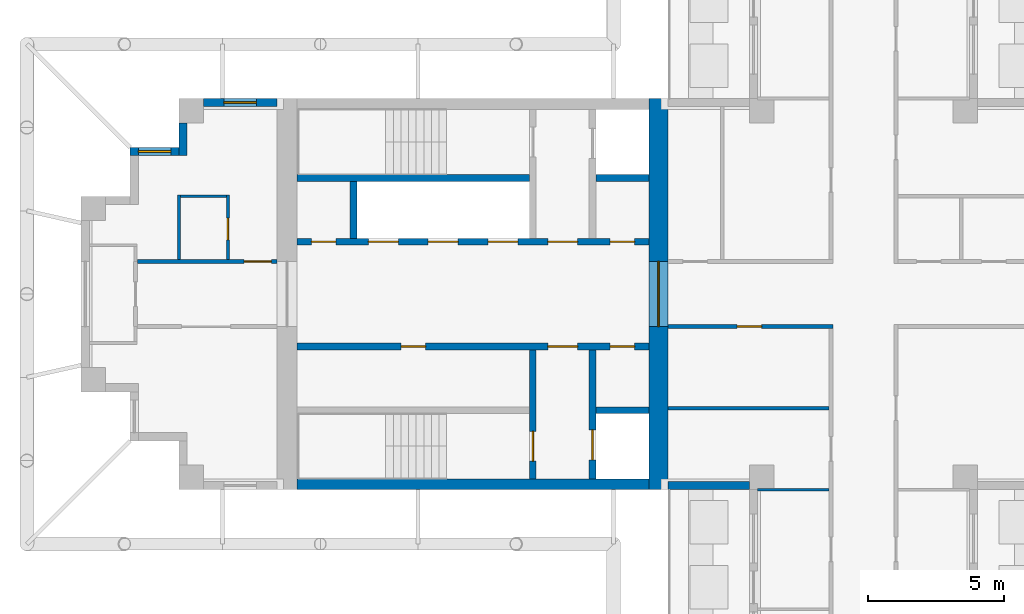
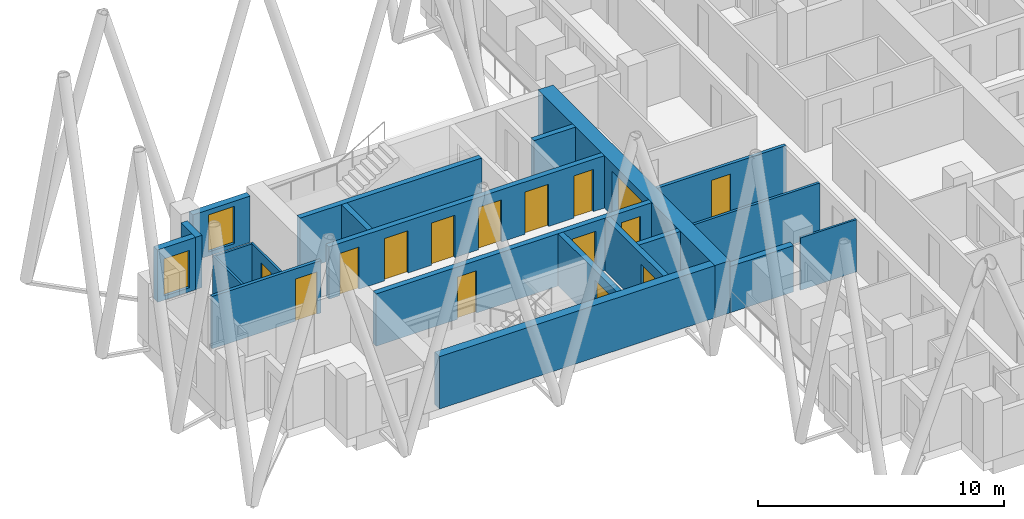
# One storey, part 4 of 11: 21 walls, 15 doors, 2 windows, 17 openings.
"""IFC4 building model written with IfcOpenShell, lengths in metres."""

from ifc_helpers import new_model, si_unit, direction, frame, frame_2d, origin, place, context, subcontext, project, spatial, rectangle, extrude, material, layer, layer_set, type_object, element, fill, save


model = new_model("IFC4")

# Units and contexts
model_context = context("Model", 3, precision=1e-05, world=origin(), true_north=direction((0.0, 1.0)))
body_context = subcontext(model_context, "Body", "Model", "MODEL_VIEW")
ifc_project = project(units=[si_unit("LENGTHUNIT", "METRE"), si_unit("AREAUNIT", "SQUARE_METRE"), si_unit("VOLUMEUNIT", "CUBIC_METRE"), si_unit("PLANEANGLEUNIT", "RADIAN"), si_unit("MASSUNIT", "GRAM", prefix="KILO")], contexts=[model_context])

# Site, building, storey
site_placement = place(None, origin())
site = spatial("IfcSite", under=ifc_project, at=site_placement, CompositionType="ELEMENT")
building_placement = place(site_placement, origin())
building = spatial("IfcBuilding", under=site, at=building_placement, Name="Fustian Cross Tower", CompositionType="ELEMENT")
storey_placement = place(building_placement, frame((0.0, 0.0, 222.89990234375)))
storey = spatial("IfcBuildingStorey", under=building, at=storey_placement, Name="L70", CompositionType="ELEMENT", Elevation=222.89990234375)

# Wall, opening, door
ifc_material_1 = material(Name="Plasterboard on steel stud", Category="steel")
ifc_layer_1 = layer(ifc_material_1, 0.14990234375)
ifc_layer_set_1 = layer_set([ifc_layer_1], Name="Plasterboard on steel stud")
wall_type_1 = type_object("IfcWallType", Name="COMPARTMENT WALL 150 EI 60", PredefinedType="PARTITIONING", material=ifc_layer_set_1)
wall_1_placement = place(storey_placement, frame((-26.72509765625, 1.199951171875, 0.0), z_axis=(0.0, 0.0, 1.0), x_axis=(1.0, 0.0, 0.0)))
wall_1 = element("IfcWall", 1, at=wall_1_placement, inside=storey, type_object=wall_type_1, Name="Partition 7", PredefinedType="PARTITIONING", context=body_context, shape_type="SweptSolid", body=[
    extrude(rectangle(XDim=5.125, YDim=0.14990234375, at=frame_2d((2.5625, 0.0))), origin(), (0.0, 0.0, 1.0), 2.60009765625),
])
opening_1_placement = place(wall_1_placement, frame((3.925048828125, 0.0, 0.0)))
opening_1 = element("IfcOpeningElement", 2, at=opening_1_placement, cuts=wall_1, Name="Opening D31025", PredefinedType="OPENING", context=body_context, shape_type="SweptSolid", body=[
    extrude(rectangle(XDim=1.0, YDim=2.10009765625, at=frame_2d((0.5, 1.050048828125))), frame((0.0, 0.0849609375, 0.0), z_axis=(0.0, -1.0, 0.0), x_axis=(1.0, 0.0, 0.0)), (0.0, 0.0, 1.0), 0.169921875),
])
ifc_material_2 = material(Name="Timber fire door set", Category="wood")
door_type_1 = type_object("IfcDoorType", Name="FIRE SWING DOOR 1000 FD30S", OperationType="SINGLE_SWING_LEFT", PredefinedType="DOOR", material=ifc_material_2)
door_1_placement = place(opening_1_placement, origin())
door_1 = element("IfcDoor", 3, at=door_1_placement, inside=storey, type_object=door_type_1, Name="Door D31025", OperationType="SINGLE_SWING_RIGHT", OverallHeight=2.10009765625, OverallWidth=1.0, PredefinedType="DOOR", context=body_context, shape_type="SweptSolid", body=[
    extrude(rectangle(XDim=1.0, YDim=2.10009765625, at=frame_2d((0.5, 1.050048828125))), frame((0.0, 0.02490234375, 0.0), z_axis=(0.0, -1.0, 0.0), x_axis=(1.0, 0.0, 0.0)), (0.0, 0.0, 1.0), 0.050048828125),
])
fill(opening_1, door_1)

wall_2_placement = place(storey_placement, frame((-7.199951171875, -1.199951171875, 0.0), z_axis=(0.0, 0.0, 1.0), x_axis=(1.0, 0.0, 0.0)))
wall_2 = element("IfcWall", 4, at=wall_2_placement, inside=storey, type_object=wall_type_1, Name="Partition 12", PredefinedType="PARTITIONING", context=body_context, shape_type="SweptSolid", body=[
    extrude(rectangle(XDim=6.074951171875, YDim=0.14990234375, at=frame_2d((3.03759765625, 0.0))), origin(), (0.0, 0.0, 1.0), 2.60009765625),
])
opening_2_placement = place(wall_2_placement, frame((2.550048828125, 0.0, 0.0)))
opening_2 = element("IfcOpeningElement", 5, at=opening_2_placement, cuts=wall_2, Name="Opening D31007", PredefinedType="OPENING", context=body_context, shape_type="SweptSolid", body=[
    extrude(rectangle(XDim=0.89990234375, YDim=2.10009765625, at=frame_2d((0.449951171875, 1.050048828125))), frame((0.0, 0.0849609375, 0.0), z_axis=(0.0, -1.0, 0.0), x_axis=(1.0, 0.0, 0.0)), (0.0, 0.0, 1.0), 0.169921875),
])
ifc_material_3 = material(Name="Timber fire door set", Category="wood")
door_type_2 = type_object("IfcDoorType", Name="FIRE SWING DOOR 900 FD30S", OperationType="SINGLE_SWING_LEFT", PredefinedType="DOOR", material=ifc_material_3)
door_2_placement = place(opening_2_placement, frame((0.89990234375, 0.0, 0.0), z_axis=(0.0, 0.0, 1.0), x_axis=(-1.0, 0.0, 0.0)))
door_2 = element("IfcDoor", 6, at=door_2_placement, inside=storey, type_object=door_type_2, Name="Door D31007", OperationType="SINGLE_SWING_RIGHT", OverallHeight=2.10009765625, OverallWidth=0.89990234375, PredefinedType="DOOR", context=body_context, shape_type="SweptSolid", body=[
    extrude(rectangle(XDim=0.89990234375, YDim=2.10009765625, at=frame_2d((0.449951171875, 1.050048828125))), frame((0.0, 0.02490234375, 0.0), z_axis=(0.0, -1.0, 0.0), x_axis=(1.0, 0.0, 0.0)), (0.0, 0.0, 1.0), 0.050048828125),
])
fill(opening_2, door_2)

ifc_material_4 = material(Name="Concrete C50/60", Category="concrete")
ifc_layer_2 = layer(ifc_material_4, 0.699951171875)
ifc_layer_set_2 = layer_set([ifc_layer_2], Name="Concrete C50/60")
wall_type_2 = type_object("IfcWallType", Name="CORE END WALL 700 C50/60", PredefinedType="SHEAR", material=ifc_layer_set_2)
wall_3_placement = place(storey_placement, frame((-7.550048828125, -7.199951171875, 0.0), z_axis=(0.0, 0.0, 1.0), x_axis=(0.0, 1.0, 0.0)))
wall_3 = element("IfcWall", 7, at=wall_3_placement, inside=storey, type_object=wall_type_2, Name="Core end wall", PredefinedType="SHEAR", context=body_context, shape_type="SweptSolid", body=[
    extrude(rectangle(XDim=14.39990234375, YDim=0.699951171875, at=frame_2d((7.199951171875, 0.0))), origin(), (0.0, 0.0, 1.0), 2.60009765625),
])
opening_3_placement = place(wall_3_placement, frame((6.0, 0.0, 0.0)))
opening_3 = element("IfcOpeningElement", 8, at=opening_3_placement, cuts=wall_3, Name="Opening CD-29-27", PredefinedType="OPENING", context=body_context, shape_type="SweptSolid", body=[
    extrude(rectangle(XDim=2.39990234375, YDim=2.199951171875, at=frame_2d((1.199951171875, 1.10009765625))), frame((0.0, 0.35986328125, 0.0), z_axis=(0.0, -1.0, 0.0), x_axis=(1.0, 0.0, 0.0)), (0.0, 0.0, 1.0), 0.719970703125),
])
ifc_material_5 = material(Name="Steel", Category="steel")
door_type_3 = type_object("IfcDoorType", Name="FIRE DOOR FD30S DOUBLE 2400X2200", OperationType="DOUBLE_DOOR_DOUBLE_SWING", PredefinedType="DOOR", material=ifc_material_5)
door_3_placement = place(opening_3_placement, origin())
door_3 = element("IfcDoor", 9, at=door_3_placement, inside=storey, type_object=door_type_3, Name="Core door CD-29-27", OperationType="DOUBLE_DOOR_DOUBLE_SWING", OverallHeight=2.199951171875, OverallWidth=2.39990234375, PredefinedType="DOOR", context=body_context, shape_type="SweptSolid", body=[
    extrude(rectangle(XDim=2.39990234375, YDim=2.199951171875, at=frame_2d((1.199951171875, 1.10009765625))), frame((0.0, 0.02490234375, 0.0), z_axis=(0.0, -1.0, 0.0), x_axis=(1.0, 0.0, 0.0)), (0.0, 0.0, 1.0), 0.050048828125),
])
fill(opening_3, door_3)

# Wall
ifc_material_6 = material(Name="Concrete C50/60", Category="concrete")
ifc_layer_3 = layer(ifc_material_6, 0.39990234375)
ifc_layer_set_3 = layer_set([ifc_layer_3], Name="Concrete C50/60")
wall_type_3 = type_object("IfcWallType", Name="CORE FACADE WALL 400 C50/60", PredefinedType="SHEAR", material=ifc_layer_set_3)
wall_4_placement = place(storey_placement, frame((-7.89990234375, -7.0, 0.0), z_axis=(0.0, 0.0, 1.0), x_axis=(-1.0, 0.0, 0.0)))
element("IfcWall", 10, at=wall_4_placement, inside=storey, type_object=wall_type_3, Name="Core facade wall", PredefinedType="SHEAR", context=body_context, shape_type="SweptSolid", body=[
    extrude(rectangle(XDim=12.9501953125, YDim=0.39990234375, at=frame_2d((6.47509765625, 0.0))), origin(), (0.0, 0.0, 1.0), 2.60009765625),
])

# Wall, openings, doors
ifc_material_7 = material(Name="Concrete C50/60", Category="concrete")
ifc_layer_4 = layer(ifc_material_7, 0.25)
ifc_layer_set_4 = layer_set([ifc_layer_4], Name="Concrete C50/60")
wall_type_4 = type_object("IfcWallType", Name="CORE LOBBY WALL 250 C50/60", PredefinedType="SHEAR", material=ifc_layer_set_4)
wall_5_placement = place(storey_placement, frame((-7.89990234375, 1.925048828125, 0.0), z_axis=(0.0, 0.0, 1.0), x_axis=(-1.0, 0.0, 0.0)))
wall_5 = element("IfcWall", 11, at=wall_5_placement, inside=storey, type_object=wall_type_4, Name="Core lobby wall", PredefinedType="SHEAR", context=body_context, shape_type="SweptSolid", body=[
    extrude(rectangle(XDim=12.9501953125, YDim=0.25, at=frame_2d((6.47509765625, 0.0))), origin(), (0.0, 0.0, 1.0), 2.60009765625),
])
opening_4_placement = place(wall_5_placement, frame((4.824951171875, 0.0, 0.0)))
opening_4 = element("IfcOpeningElement", 12, at=opening_4_placement, cuts=wall_5, Name="Opening LD", PredefinedType="OPENING", context=body_context, shape_type="SweptSolid", body=[
    extrude(rectangle(XDim=1.10009765625, YDim=2.10009765625, at=frame_2d((0.550048828125, 1.050048828125))), frame((0.0, 0.135009765625, 0.0), z_axis=(0.0, -1.0, 0.0), x_axis=(1.0, 0.0, 0.0)), (0.0, 0.0, 1.0), 0.27001953125),
])
opening_5_placement = place(wall_5_placement, frame((7.02490234375, 0.0, 0.0)))
opening_5 = element("IfcOpeningElement", 13, at=opening_5_placement, cuts=wall_5, Name="Opening LD", PredefinedType="OPENING", context=body_context, shape_type="SweptSolid", body=[
    extrude(rectangle(XDim=1.10009765625, YDim=2.10009765625, at=frame_2d((0.550048828125, 1.050048828125))), frame((0.0, 0.135009765625, 0.0), z_axis=(0.0, -1.0, 0.0), x_axis=(1.0, 0.0, 0.0)), (0.0, 0.0, 1.0), 0.27001953125),
])
opening_6_placement = place(wall_5_placement, frame((9.22509765625, 0.0, 0.0)))
opening_6 = element("IfcOpeningElement", 14, at=opening_6_placement, cuts=wall_5, Name="Opening LD", PredefinedType="OPENING", context=body_context, shape_type="SweptSolid", body=[
    extrude(rectangle(XDim=1.10009765625, YDim=2.10009765625, at=frame_2d((0.550048828125, 1.050048828125))), frame((0.0, 0.135009765625, 0.0), z_axis=(0.0, -1.0, 0.0), x_axis=(1.0, 0.0, 0.0)), (0.0, 0.0, 1.0), 0.27001953125),
])
opening_7_placement = place(wall_5_placement, frame((0.52490234375, 0.0, 0.0)))
opening_7 = element("IfcOpeningElement", 15, at=opening_7_placement, cuts=wall_5, Name="Opening CD-29-23", PredefinedType="OPENING", context=body_context, shape_type="SweptSolid", body=[
    extrude(rectangle(XDim=0.89990234375, YDim=2.10009765625, at=frame_2d((0.449951171875, 1.050048828125))), frame((0.0, 0.135009765625, 0.0), z_axis=(0.0, -1.0, 0.0), x_axis=(1.0, 0.0, 0.0)), (0.0, 0.0, 1.0), 0.27001953125),
])
opening_8_placement = place(wall_5_placement, frame((2.625, 0.0, 0.0)))
opening_8 = element("IfcOpeningElement", 16, at=opening_8_placement, cuts=wall_5, Name="Opening CD-29-25", PredefinedType="OPENING", context=body_context, shape_type="SweptSolid", body=[
    extrude(rectangle(XDim=1.10009765625, YDim=2.10009765625, at=frame_2d((0.550048828125, 1.050048828125))), frame((0.0, 0.135009765625, 0.0), z_axis=(0.0, -1.0, 0.0), x_axis=(1.0, 0.0, 0.0)), (0.0, 0.0, 1.0), 0.27001953125),
])
opening_9_placement = place(wall_5_placement, frame((11.52490234375, 0.0, 0.0)))
opening_9 = element("IfcOpeningElement", 17, at=opening_9_placement, cuts=wall_5, Name="Opening CD-29-29", PredefinedType="OPENING", context=body_context, shape_type="SweptSolid", body=[
    extrude(rectangle(XDim=0.89990234375, YDim=2.10009765625, at=frame_2d((0.449951171875, 1.050048828125))), frame((0.0, 0.135009765625, 0.0), z_axis=(0.0, -1.0, 0.0), x_axis=(1.0, 0.0, 0.0)), (0.0, 0.0, 1.0), 0.27001953125),
])
ifc_material_8 = material(Name="Steel", Category="steel")
door_type_4 = type_object("IfcDoorType", Name="FIRE DOOR FD30S 900X2100", OperationType="SINGLE_SWING_LEFT", PredefinedType="DOOR", material=ifc_material_8)
door_4_placement = place(opening_9_placement, frame((0.89990234375, 0.0, 0.0), z_axis=(0.0, 0.0, 1.0), x_axis=(-1.0, 0.0, 0.0)))
door_4 = element("IfcDoor", 18, at=door_4_placement, inside=storey, type_object=door_type_4, Name="Core door CD-29-29", OperationType="SINGLE_SWING_RIGHT", OverallHeight=2.10009765625, OverallWidth=0.89990234375, PredefinedType="DOOR", context=body_context, shape_type="SweptSolid", body=[
    extrude(rectangle(XDim=0.89990234375, YDim=2.10009765625, at=frame_2d((0.449951171875, 1.050048828125))), frame((0.0, 0.02490234375, 0.0), z_axis=(0.0, -1.0, 0.0), x_axis=(1.0, 0.0, 0.0)), (0.0, 0.0, 1.0), 0.050048828125),
])
fill(opening_9, door_4)
ifc_material_9 = material(Name="Steel", Category="steel")
door_type_5 = type_object("IfcDoorType", Name="FIRE DOOR FD60S 1100X2100", OperationType="SINGLE_SWING_LEFT", PredefinedType="DOOR", material=ifc_material_9)
door_5_placement = place(opening_8_placement, frame((1.10009765625, 0.0, 0.0), z_axis=(0.0, 0.0, 1.0), x_axis=(-1.0, 0.0, 0.0)))
door_5 = element("IfcDoor", 19, at=door_5_placement, inside=storey, type_object=door_type_5, Name="Core door CD-29-25", OperationType="SINGLE_SWING_RIGHT", OverallHeight=2.10009765625, OverallWidth=1.10009765625, PredefinedType="DOOR", context=body_context, shape_type="SweptSolid", body=[
    extrude(rectangle(XDim=1.10009765625, YDim=2.10009765625, at=frame_2d((0.550048828125, 1.050048828125))), frame((0.0, 0.02490234375, 0.0), z_axis=(0.0, -1.0, 0.0), x_axis=(1.0, 0.0, 0.0)), (0.0, 0.0, 1.0), 0.050048828125),
])
fill(opening_8, door_5)
ifc_material_10 = material(Name="Steel", Category="steel")
door_type_6 = type_object("IfcDoorType", Name="FIRE DOOR FD60S 900X2100", OperationType="SINGLE_SWING_LEFT", PredefinedType="DOOR", material=ifc_material_10)
door_6_placement = place(opening_7_placement, frame((0.89990234375, 0.0, 0.0), z_axis=(0.0, 0.0, 1.0), x_axis=(-1.0, 0.0, 0.0)))
door_6 = element("IfcDoor", 20, at=door_6_placement, inside=storey, type_object=door_type_6, Name="Core door CD-29-23", OperationType="SINGLE_SWING_RIGHT", OverallHeight=2.10009765625, OverallWidth=0.89990234375, PredefinedType="DOOR", context=body_context, shape_type="SweptSolid", body=[
    extrude(rectangle(XDim=0.89990234375, YDim=2.10009765625, at=frame_2d((0.449951171875, 1.050048828125))), frame((0.0, 0.02490234375, 0.0), z_axis=(0.0, -1.0, 0.0), x_axis=(1.0, 0.0, 0.0)), (0.0, 0.0, 1.0), 0.050048828125),
])
fill(opening_7, door_6)
ifc_material_11 = material(Name="Stainless steel", Category="steel")
door_type_7 = type_object("IfcDoorType", Name="LIFT LANDING DOOR 1100X2100", OperationType="SLIDING_TO_LEFT", PredefinedType="DOOR", material=ifc_material_11)
door_7_placement = place(opening_4_placement, origin())
door_7 = element("IfcDoor", 21, at=door_7_placement, inside=storey, type_object=door_type_7, Name="Landing door HR1W", OperationType="SLIDING_TO_LEFT", OverallHeight=2.10009765625, OverallWidth=1.10009765625, PredefinedType="DOOR", context=body_context, shape_type="SweptSolid", body=[
    extrude(rectangle(XDim=1.10009765625, YDim=2.10009765625, at=frame_2d((0.550048828125, 1.050048828125))), frame((0.0, 0.02490234375, 0.0), z_axis=(0.0, -1.0, 0.0), x_axis=(1.0, 0.0, 0.0)), (0.0, 0.0, 1.0), 0.050048828125),
])
fill(opening_4, door_7)
door_8_placement = place(opening_5_placement, origin())
door_8 = element("IfcDoor", 22, at=door_8_placement, inside=storey, type_object=door_type_7, Name="Landing door HR2W", OperationType="SLIDING_TO_LEFT", OverallHeight=2.10009765625, OverallWidth=1.10009765625, PredefinedType="DOOR", context=body_context, shape_type="SweptSolid", body=[
    extrude(rectangle(XDim=1.10009765625, YDim=2.10009765625, at=frame_2d((0.550048828125, 1.050048828125))), frame((0.0, 0.02490234375, 0.0), z_axis=(0.0, -1.0, 0.0), x_axis=(1.0, 0.0, 0.0)), (0.0, 0.0, 1.0), 0.050048828125),
])
fill(opening_5, door_8)
door_9_placement = place(opening_6_placement, origin())
door_9 = element("IfcDoor", 23, at=door_9_placement, inside=storey, type_object=door_type_7, Name="Landing door HR3W", OperationType="SLIDING_TO_LEFT", OverallHeight=2.10009765625, OverallWidth=1.10009765625, PredefinedType="DOOR", context=body_context, shape_type="SweptSolid", body=[
    extrude(rectangle(XDim=1.10009765625, YDim=2.10009765625, at=frame_2d((0.550048828125, 1.050048828125))), frame((0.0, 0.02490234375, 0.0), z_axis=(0.0, -1.0, 0.0), x_axis=(1.0, 0.0, 0.0)), (0.0, 0.0, 1.0), 0.050048828125),
])
fill(opening_6, door_9)

wall_6_placement = place(storey_placement, frame((-7.89990234375, -1.925048828125, 0.0), z_axis=(0.0, 0.0, 1.0), x_axis=(-1.0, 0.0, 0.0)))
wall_6 = element("IfcWall", 24, at=wall_6_placement, inside=storey, type_object=wall_type_4, Name="Core lobby wall", PredefinedType="SHEAR", context=body_context, shape_type="SweptSolid", body=[
    extrude(rectangle(XDim=12.9501953125, YDim=0.25, at=frame_2d((6.47509765625, 0.0))), origin(), (0.0, 0.0, 1.0), 2.60009765625),
])
opening_10_placement = place(wall_6_placement, frame((0.52490234375, 0.0, 0.0)))
opening_10 = element("IfcOpeningElement", 25, at=opening_10_placement, cuts=wall_6, Name="Opening CD-29-24", PredefinedType="OPENING", context=body_context, shape_type="SweptSolid", body=[
    extrude(rectangle(XDim=0.89990234375, YDim=2.10009765625, at=frame_2d((0.449951171875, 1.050048828125))), frame((0.0, 0.135009765625, 0.0), z_axis=(0.0, -1.0, 0.0), x_axis=(1.0, 0.0, 0.0)), (0.0, 0.0, 1.0), 0.27001953125),
])
opening_11_placement = place(wall_6_placement, frame((2.625, 0.0, 0.0)))
opening_11 = element("IfcOpeningElement", 26, at=opening_11_placement, cuts=wall_6, Name="Opening CD-29-26", PredefinedType="OPENING", context=body_context, shape_type="SweptSolid", body=[
    extrude(rectangle(XDim=1.10009765625, YDim=2.10009765625, at=frame_2d((0.550048828125, 1.050048828125))), frame((0.0, 0.135009765625, 0.0), z_axis=(0.0, -1.0, 0.0), x_axis=(1.0, 0.0, 0.0)), (0.0, 0.0, 1.0), 0.27001953125),
])
opening_12_placement = place(wall_6_placement, frame((8.22509765625, 0.0, 0.0)))
opening_12 = element("IfcOpeningElement", 27, at=opening_12_placement, cuts=wall_6, Name="Opening CD-29-30", PredefinedType="OPENING", context=body_context, shape_type="SweptSolid", body=[
    extrude(rectangle(XDim=0.89990234375, YDim=2.10009765625, at=frame_2d((0.449951171875, 1.050048828125))), frame((0.0, 0.135009765625, 0.0), z_axis=(0.0, -1.0, 0.0), x_axis=(1.0, 0.0, 0.0)), (0.0, 0.0, 1.0), 0.27001953125),
])
ifc_material_12 = material(Name="Steel", Category="steel")
door_type_8 = type_object("IfcDoorType", Name="FIRE DOOR FD30S 1100X2100", OperationType="SINGLE_SWING_LEFT", PredefinedType="DOOR", material=ifc_material_12)
door_10_placement = place(opening_11_placement, frame((1.10009765625, 0.0, 0.0), z_axis=(0.0, 0.0, 1.0), x_axis=(-1.0, 0.0, 0.0)))
door_10 = element("IfcDoor", 28, at=door_10_placement, inside=storey, type_object=door_type_8, Name="Core door CD-29-26", OperationType="SINGLE_SWING_RIGHT", OverallHeight=2.10009765625, OverallWidth=1.10009765625, PredefinedType="DOOR", context=body_context, shape_type="SweptSolid", body=[
    extrude(rectangle(XDim=1.10009765625, YDim=2.10009765625, at=frame_2d((0.550048828125, 1.050048828125))), frame((0.0, 0.02490234375, 0.0), z_axis=(0.0, -1.0, 0.0), x_axis=(1.0, 0.0, 0.0)), (0.0, 0.0, 1.0), 0.050048828125),
])
fill(opening_11, door_10)
door_11_placement = place(opening_10_placement, origin())
door_11 = element("IfcDoor", 29, at=door_11_placement, inside=storey, type_object=door_type_4, Name="Core door CD-29-24", OperationType="SINGLE_SWING_LEFT", OverallHeight=2.10009765625, OverallWidth=0.89990234375, PredefinedType="DOOR", context=body_context, shape_type="SweptSolid", body=[
    extrude(rectangle(XDim=0.89990234375, YDim=2.10009765625, at=frame_2d((0.449951171875, 1.050048828125))), frame((0.0, 0.02490234375, 0.0), z_axis=(0.0, -1.0, 0.0), x_axis=(1.0, 0.0, 0.0)), (0.0, 0.0, 1.0), 0.050048828125),
])
fill(opening_10, door_11)
door_12_placement = place(opening_12_placement, origin())
door_12 = element("IfcDoor", 30, at=door_12_placement, inside=storey, type_object=door_type_4, Name="Core door CD-29-30", OperationType="SINGLE_SWING_RIGHT", OverallHeight=2.10009765625, OverallWidth=0.89990234375, PredefinedType="DOOR", context=body_context, shape_type="SweptSolid", body=[
    extrude(rectangle(XDim=0.89990234375, YDim=2.10009765625, at=frame_2d((0.449951171875, 1.050048828125))), frame((0.0, 0.02490234375, 0.0), z_axis=(0.0, -1.0, 0.0), x_axis=(1.0, 0.0, 0.0)), (0.0, 0.0, 1.0), 0.050048828125),
])
fill(opening_12, door_12)

# Walls
ifc_material_13 = material(Name="Concrete C50/60", Category="concrete")
ifc_layer_5 = layer(ifc_material_13, 0.25)
ifc_layer_set_5 = layer_set([ifc_layer_5], Name="Concrete C50/60")
wall_type_5 = type_object("IfcWallType", Name="CORE SHAFT WALL 250 C50/60", PredefinedType="SHEAR", material=ifc_layer_set_5)
wall_7_placement = place(storey_placement, frame((-7.89990234375, 4.27490234375, 0.0), z_axis=(0.0, 0.0, 1.0), x_axis=(-1.0, 0.0, 0.0)))
element("IfcWall", 31, at=wall_7_placement, inside=storey, type_object=wall_type_5, Name="Core shaft wall", PredefinedType="SHEAR", context=body_context, shape_type="SweptSolid", body=[
    extrude(rectangle(XDim=1.9501953125, YDim=0.25, at=frame_2d((0.97509765625, 0.0))), origin(), (0.0, 0.0, 1.0), 2.60009765625),
])
wall_8_placement = place(storey_placement, frame((-12.300048828125, 4.27490234375, 0.0), z_axis=(0.0, 0.0, 1.0), x_axis=(-1.0, 0.0, 0.0)))
element("IfcWall", 32, at=wall_8_placement, inside=storey, type_object=wall_type_5, Name="Core shaft wall", PredefinedType="SHEAR", context=body_context, shape_type="SweptSolid", body=[
    extrude(rectangle(XDim=8.550048828125, YDim=0.25, at=frame_2d((4.27490234375, 0.0))), origin(), (0.0, 0.0, 1.0), 2.60009765625),
])
wall_9_placement = place(storey_placement, frame((-7.89990234375, -4.27490234375, 0.0), z_axis=(0.0, 0.0, 1.0), x_axis=(-1.0, 0.0, 0.0)))
element("IfcWall", 33, at=wall_9_placement, inside=storey, type_object=wall_type_5, Name="Core shaft wall", PredefinedType="SHEAR", context=body_context, shape_type="SweptSolid", body=[
    extrude(rectangle(XDim=1.9501953125, YDim=0.25, at=frame_2d((0.97509765625, 0.0))), origin(), (0.0, 0.0, 1.0), 2.60009765625),
])

# Wall, opening, door
wall_10_placement = place(storey_placement, frame((-9.97509765625, -2.050048828125, 0.0), z_axis=(0.0, 0.0, 1.0), x_axis=(0.0, -1.0, 0.0)))
wall_10 = element("IfcWall", 34, at=wall_10_placement, inside=storey, type_object=wall_type_5, Name="Core shaft wall", PredefinedType="SHEAR", context=body_context, shape_type="SweptSolid", body=[
    extrude(rectangle(XDim=4.75, YDim=0.25, at=frame_2d((2.375, 0.0))), origin(), (0.0, 0.0, 1.0), 2.60009765625),
])
opening_13_placement = place(wall_10_placement, frame((2.949951171875, 0.0, 0.0)))
opening_13 = element("IfcOpeningElement", 35, at=opening_13_placement, cuts=wall_10, Name="Opening LD", PredefinedType="OPENING", context=body_context, shape_type="SweptSolid", body=[
    extrude(rectangle(XDim=1.10009765625, YDim=2.10009765625, at=frame_2d((0.550048828125, 1.050048828125))), frame((0.0, 0.135009765625, 0.0), z_axis=(0.0, -1.0, 0.0), x_axis=(1.0, 0.0, 0.0)), (0.0, 0.0, 1.0), 0.27001953125),
])
door_13_placement = place(opening_13_placement, origin())
door_13 = element("IfcDoor", 36, at=door_13_placement, inside=storey, type_object=door_type_7, Name="Landing door SV1W", OperationType="SLIDING_TO_LEFT", OverallHeight=2.10009765625, OverallWidth=1.10009765625, PredefinedType="DOOR", context=body_context, shape_type="SweptSolid", body=[
    extrude(rectangle(XDim=1.10009765625, YDim=2.10009765625, at=frame_2d((0.550048828125, 1.050048828125))), frame((0.0, 0.02490234375, 0.0), z_axis=(0.0, -1.0, 0.0), x_axis=(1.0, 0.0, 0.0)), (0.0, 0.0, 1.0), 0.050048828125),
])
fill(opening_13, door_13)

wall_11_placement = place(storey_placement, frame((-12.175048828125, -2.050048828125, 0.0), z_axis=(0.0, 0.0, 1.0), x_axis=(0.0, -1.0, 0.0)))
wall_11 = element("IfcWall", 37, at=wall_11_placement, inside=storey, type_object=wall_type_5, Name="Core shaft wall", PredefinedType="SHEAR", context=body_context, shape_type="SweptSolid", body=[
    extrude(rectangle(XDim=4.75, YDim=0.25, at=frame_2d((2.375, 0.0))), origin(), (0.0, 0.0, 1.0), 2.60009765625),
])
opening_14_placement = place(wall_11_placement, frame((3.0, 0.0, 0.0)))
opening_14 = element("IfcOpeningElement", 38, at=opening_14_placement, cuts=wall_11, Name="Opening CD-29-22", PredefinedType="OPENING", context=body_context, shape_type="SweptSolid", body=[
    extrude(rectangle(XDim=1.10009765625, YDim=2.10009765625, at=frame_2d((0.550048828125, 1.050048828125))), frame((0.0, 0.135009765625, 0.0), z_axis=(0.0, -1.0, 0.0), x_axis=(1.0, 0.0, 0.0)), (0.0, 0.0, 1.0), 0.27001953125),
])
door_14_placement = place(opening_14_placement, frame((1.10009765625, 0.0, 0.0), z_axis=(0.0, 0.0, 1.0), x_axis=(-1.0, 0.0, 0.0)))
door_14 = element("IfcDoor", 39, at=door_14_placement, inside=storey, type_object=door_type_5, Name="Core door CD-29-22", OperationType="SINGLE_SWING_RIGHT", OverallHeight=2.10009765625, OverallWidth=1.10009765625, PredefinedType="DOOR", context=body_context, shape_type="SweptSolid", body=[
    extrude(rectangle(XDim=1.10009765625, YDim=2.10009765625, at=frame_2d((0.550048828125, 1.050048828125))), frame((0.0, 0.02490234375, 0.0), z_axis=(0.0, -1.0, 0.0), x_axis=(1.0, 0.0, 0.0)), (0.0, 0.0, 1.0), 0.050048828125),
])
fill(opening_14, door_14)

# Walls
ifc_material_14 = material(Name="Plasterboard on steel stud", Category="steel")
ifc_layer_6 = layer(ifc_material_14, 0.10009765625)
ifc_layer_set_6 = layer_set([ifc_layer_6], Name="Plasterboard on steel stud")
wall_type_6 = type_object("IfcWallType", Name="PARTITION 100 STUD", PredefinedType="PARTITIONING", material=ifc_layer_set_6)
wall_12_placement = place(storey_placement, frame((-25.199951171875, 1.27490234375, 0.0), z_axis=(0.0, 0.0, 1.0), x_axis=(0.0, 1.0, 0.0)))
element("IfcWall", 40, at=wall_12_placement, inside=storey, type_object=wall_type_6, Name="Partition 8", PredefinedType="PARTITIONING", context=body_context, shape_type="SweptSolid", body=[
    extrude(rectangle(XDim=2.375, YDim=0.10009765625, at=frame_2d((1.1875, 0.0))), origin(), (0.0, 0.0, 1.0), 2.60009765625),
])
wall_13_placement = place(storey_placement, frame((-25.14990234375, 3.60009765625, 0.0), z_axis=(0.0, 0.0, 1.0), x_axis=(1.0, 0.0, 0.0)))
element("IfcWall", 41, at=wall_13_placement, inside=storey, type_object=wall_type_6, Name="Partition 9", PredefinedType="PARTITIONING", context=body_context, shape_type="SweptSolid", body=[
    extrude(rectangle(XDim=1.699951171875, YDim=0.10009765625, at=frame_2d((0.85009765625, 0.0))), origin(), (0.0, 0.0, 1.0), 2.60009765625),
])

# Wall, opening, door
wall_14_placement = place(storey_placement, frame((-23.39990234375, 1.27490234375, 0.0), z_axis=(0.0, 0.0, 1.0), x_axis=(0.0, 1.0, 0.0)))
wall_14 = element("IfcWall", 42, at=wall_14_placement, inside=storey, type_object=wall_type_6, Name="Partition 10", PredefinedType="PARTITIONING", context=body_context, shape_type="SweptSolid", body=[
    extrude(rectangle(XDim=2.375, YDim=0.10009765625, at=frame_2d((1.1875, 0.0))), origin(), (0.0, 0.0, 1.0), 2.60009765625),
])
opening_15_placement = place(wall_14_placement, frame((0.72509765625, 0.0, 0.0)))
opening_15 = element("IfcOpeningElement", 43, at=opening_15_placement, cuts=wall_14, Name="Opening D31024", PredefinedType="OPENING", context=body_context, shape_type="SweptSolid", body=[
    extrude(rectangle(XDim=0.800048828125, YDim=2.10009765625, at=frame_2d((0.39990234375, 1.050048828125))), frame((0.0, 0.06005859375, 0.0), z_axis=(0.0, -1.0, 0.0), x_axis=(1.0, 0.0, 0.0)), (0.0, 0.0, 1.0), 0.1201171875),
])
ifc_material_15 = material(Name="Painted timber", Category="wood")
door_type_9 = type_object("IfcDoorType", Name="SWING DOOR 800", OperationType="SINGLE_SWING_LEFT", PredefinedType="DOOR", material=ifc_material_15)
door_15_placement = place(opening_15_placement, origin())
door_15 = element("IfcDoor", 44, at=door_15_placement, inside=storey, type_object=door_type_9, Name="Door D31024", OperationType="SINGLE_SWING_LEFT", OverallHeight=2.10009765625, OverallWidth=0.800048828125, PredefinedType="DOOR", context=body_context, shape_type="SweptSolid", body=[
    extrude(rectangle(XDim=0.800048828125, YDim=2.10009765625, at=frame_2d((0.39990234375, 1.050048828125))), frame((0.0, 0.02490234375, 0.0), z_axis=(0.0, -1.0, 0.0), x_axis=(1.0, 0.0, 0.0)), (0.0, 0.0, 1.0), 0.050048828125),
])
fill(opening_15, door_15)

# Walls
wall_15_placement = place(storey_placement, frame((-3.89990234375, -7.199951171875, 0.0), z_axis=(0.0, 0.0, 1.0), x_axis=(1.0, 0.0, 0.0)))
element("IfcWall", 45, at=wall_15_placement, inside=storey, type_object=wall_type_6, Name="Partition 19", PredefinedType="PARTITIONING", context=body_context, shape_type="SweptSolid", body=[
    extrude(rectangle(XDim=2.625, YDim=0.10009765625, at=frame_2d((1.3125, 0.0))), origin(), (0.0, 0.0, 1.0), 2.60009765625),
])
ifc_material_16 = material(Name="Concrete C40/50", Category="concrete")
ifc_layer_7 = layer(ifc_material_16, 0.25)
ifc_layer_set_7 = layer_set([ifc_layer_7], Name="Concrete C40/50")
wall_type_7 = type_object("IfcWallType", Name="SHAFT PARTITION WALL 250 C40/50", PredefinedType="PARTITIONING", material=ifc_layer_set_7)
wall_16_placement = place(storey_placement, frame((-18.77490234375, 2.050048828125, 0.0), z_axis=(0.0, 0.0, 1.0), x_axis=(0.0, 1.0, 0.0)))
element("IfcWall", 46, at=wall_16_placement, inside=storey, type_object=wall_type_7, Name="Core shaft wall", PredefinedType="PARTITIONING", context=body_context, shape_type="SweptSolid", body=[
    extrude(rectangle(XDim=2.099853515625, YDim=0.25, at=frame_2d((1.0498046875, 0.0))), origin(), (0.0, 0.0, 1.0), 2.60009765625),
])
ifc_material_17 = material(Name="Plasterboard on steel stud", Category="steel")
ifc_layer_8 = layer(ifc_material_17, 0.125)
ifc_layer_set_8 = layer_set([ifc_layer_8], Name="Plasterboard on steel stud")
wall_type_8 = type_object("IfcWallType", Name="WET WALL 125 STUD", PredefinedType="PARTITIONING", material=ifc_layer_set_8)
wall_17_placement = place(storey_placement, frame((-7.199951171875, -4.199951171875, 0.0), z_axis=(0.0, 0.0, 1.0), x_axis=(1.0, 0.0, 0.0)))
element("IfcWall", 47, at=wall_17_placement, inside=storey, type_object=wall_type_8, Name="Partition 11", PredefinedType="PARTITIONING", context=body_context, shape_type="SweptSolid", body=[
    extrude(rectangle(XDim=5.925048828125, YDim=0.125, at=frame_2d((2.96240234375, 0.0))), origin(), (0.0, 0.0, 1.0), 2.60009765625),
])

# Wall, opening, window
ifc_material_18 = material(Name="Dark aluminium cladding on insulated backing wall", Category="aluminium")
ifc_layer_9 = layer(ifc_material_18, 0.300048828125)
ifc_layer_set_9 = layer_set([ifc_layer_9], Name="Dark aluminium cladding on insulated backing wall")
wall_type_9 = type_object("IfcWallType", Name="XW1 EXTERNAL WALL 300", PredefinedType="SOLIDWALL", material=ifc_layer_set_9)
wall_18_placement = place(storey_placement, frame((-21.60009765625, 7.050048828125, 0.0), z_axis=(0.0, 0.0, 1.0), x_axis=(-1.0, 0.0, 0.0)))
wall_18 = element("IfcWall", 48, at=wall_18_placement, inside=storey, type_object=wall_type_9, Name="External wall", PredefinedType="SOLIDWALL", context=body_context, shape_type="SweptSolid", body=[
    extrude(rectangle(XDim=2.699951171875, YDim=0.300048828125, at=frame_2d((1.35009765625, 0.0))), origin(), (0.0, 0.0, 1.0), 2.300048828125),
])
opening_16_placement = place(wall_18_placement, frame((0.75, 0.0, 0.199951171875)))
opening_16 = element("IfcOpeningElement", 49, at=opening_16_placement, cuts=wall_18, Name="Opening WN3", PredefinedType="OPENING", context=body_context, shape_type="SweptSolid", body=[
    extrude(rectangle(XDim=1.199951171875, YDim=1.85009765625, at=frame_2d((0.60009765625, 0.925048828125))), frame((0.0, 0.159912109375, 0.0), z_axis=(0.0, -1.0, 0.0), x_axis=(1.0, 0.0, 0.0)), (0.0, 0.0, 1.0), 0.320068359375),
])
ifc_material_19 = material(Name="Dark anodised aluminium and double glazing", Category="aluminium")
window_type = type_object("IfcWindowType", Name="WN3 WINDOW 1200X1850", PartitioningType="SINGLE_PANEL", PredefinedType="WINDOW", material=ifc_material_19)
window_1_placement = place(opening_16_placement, origin())
window_1 = element("IfcWindow", 50, at=window_1_placement, inside=storey, type_object=window_type, Name="Window", OverallHeight=1.85009765625, OverallWidth=1.199951171875, PartitioningType="SINGLE_PANEL", PredefinedType="WINDOW", context=body_context, shape_type="SweptSolid", body=[
    extrude(rectangle(XDim=1.199951171875, YDim=1.85009765625, at=frame_2d((0.60009765625, 0.925048828125))), frame((0.0, 0.030029296875, 0.0), z_axis=(0.0, -1.0, 0.0), x_axis=(1.0, 0.0, 0.0)), (0.0, 0.0, 1.0), 0.06005859375),
])
fill(opening_16, window_1)

# Wall
wall_19_placement = place(storey_placement, frame((-25.050048828125, 6.300048828125, 0.0), z_axis=(0.0, 0.0, 1.0), x_axis=(0.0, -1.0, 0.0)))
element("IfcWall", 51, at=wall_19_placement, inside=storey, type_object=wall_type_9, Name="External wall", PredefinedType="SOLIDWALL", context=body_context, shape_type="SweptSolid", body=[
    extrude(rectangle(XDim=1.199951171875, YDim=0.300048828125, at=frame_2d((0.60009765625, 0.0))), origin(), (0.0, 0.0, 1.0), 2.60009765625),
])

# Wall, opening, window
wall_20_placement = place(storey_placement, frame((-25.199951171875, 5.25, 0.0), z_axis=(0.0, 0.0, 1.0), x_axis=(-1.0, 0.0, 0.0)))
wall_20 = element("IfcWall", 52, at=wall_20_placement, inside=storey, type_object=wall_type_9, Name="External wall", PredefinedType="SOLIDWALL", context=body_context, shape_type="SweptSolid", body=[
    extrude(rectangle(XDim=1.800048828125, YDim=0.300048828125, at=frame_2d((0.89990234375, 0.0))), origin(), (0.0, 0.0, 1.0), 2.60009765625),
])
opening_17_placement = place(wall_20_placement, frame((0.300048828125, 0.0, 0.199951171875)))
opening_17 = element("IfcOpeningElement", 53, at=opening_17_placement, cuts=wall_20, Name="Opening WN3", PredefinedType="OPENING", context=body_context, shape_type="SweptSolid", body=[
    extrude(rectangle(XDim=1.199951171875, YDim=1.85009765625, at=frame_2d((0.60009765625, 0.925048828125))), frame((0.0, 0.159912109375, 0.0), z_axis=(0.0, -1.0, 0.0), x_axis=(1.0, 0.0, 0.0)), (0.0, 0.0, 1.0), 0.320068359375),
])
window_2_placement = place(opening_17_placement, origin())
window_2 = element("IfcWindow", 54, at=window_2_placement, inside=storey, type_object=window_type, Name="Window", OverallHeight=1.85009765625, OverallWidth=1.199951171875, PartitioningType="SINGLE_PANEL", PredefinedType="WINDOW", context=body_context, shape_type="SweptSolid", body=[
    extrude(rectangle(XDim=1.199951171875, YDim=1.85009765625, at=frame_2d((0.60009765625, 0.925048828125))), frame((0.0, 0.030029296875, 0.0), z_axis=(0.0, -1.0, 0.0), x_axis=(1.0, 0.0, 0.0)), (0.0, 0.0, 1.0), 0.06005859375),
])
fill(opening_17, window_2)

# Wall
wall_21_placement = place(storey_placement, frame((-7.199951171875, -7.050048828125, 0.0), z_axis=(0.0, 0.0, 1.0), x_axis=(1.0, 0.0, 0.0)))
element("IfcWall", 55, at=wall_21_placement, inside=storey, type_object=wall_type_9, Name="External wall", PredefinedType="SOLIDWALL", context=body_context, shape_type="SweptSolid", body=[
    extrude(rectangle(XDim=3.0, YDim=0.300048828125, at=frame_2d((1.5, 0.0))), origin(), (0.0, 0.0, 1.0), 2.300048828125),
])

save(model, "model.ifc")
